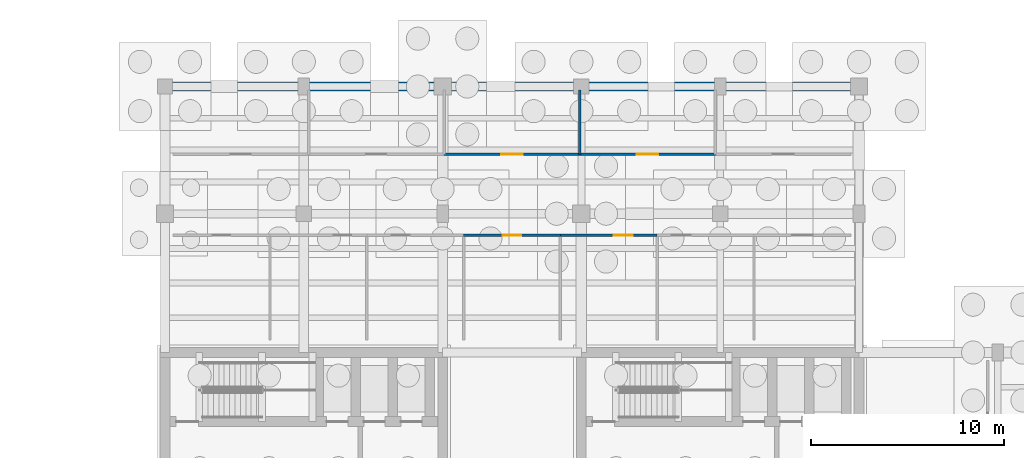
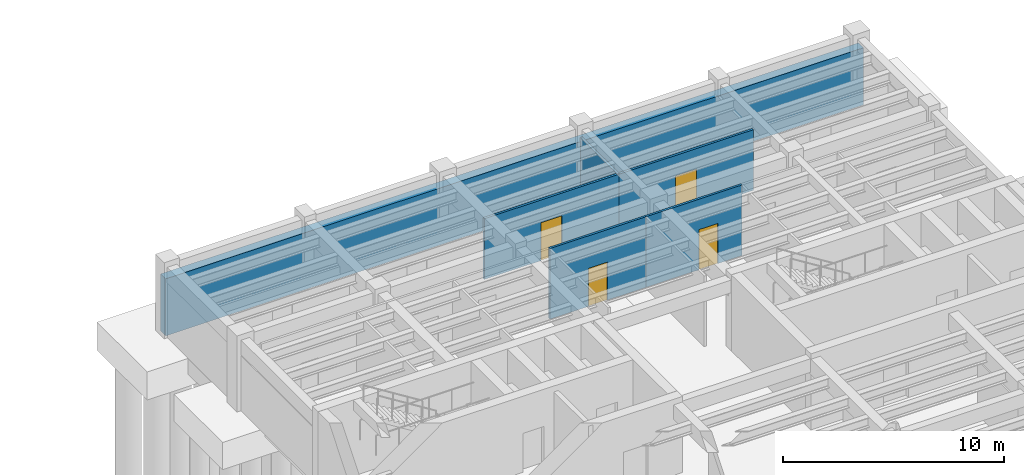
# One storey, part 14 of 22: 6 walls, 4 doors, 4 openings.
"""IFC4 building model written with IfcOpenShell, lengths in metres."""

from ifc_helpers import new_model, si_unit, direction, frame, frame_2d, origin, place, context, subcontext, project, spatial, rectangle, extrude, material, layer, layer_set, type_object, element, fill, save


model = new_model("IFC4")

# Units and contexts
model_context = context("Model", 3, precision=1e-05, world=origin(), true_north=direction((0.0, 1.0)))
body_context = subcontext(model_context, "Body", "Model", "MODEL_VIEW")
ifc_project = project(units=[si_unit("LENGTHUNIT", "METRE"), si_unit("AREAUNIT", "SQUARE_METRE"), si_unit("VOLUMEUNIT", "CUBIC_METRE"), si_unit("PLANEANGLEUNIT", "RADIAN"), si_unit("MASSUNIT", "GRAM", prefix="KILO")], contexts=[model_context])

# Site, building, storey
site_placement = place(None, origin())
site = spatial("IfcSite", under=ifc_project, at=site_placement, CompositionType="ELEMENT")
building_placement = place(site_placement, origin())
building = spatial("IfcBuilding", under=site, at=building_placement, Name="Mithqara Police Headquarters", CompositionType="ELEMENT")
storey_placement = place(building_placement, frame((0.0, 0.0, -8.39990234375)))
storey = spatial("IfcBuildingStorey", under=building, at=storey_placement, Name="B2", CompositionType="ELEMENT", Elevation=-8.39990234375)

# Wall, opening, door
ifc_material_1 = material(Name="Gypsum acoustic stud partition", Category="gypsum")
ifc_layer_1 = layer(ifc_material_1, 0.1201171875, Name="Gypsum acoustic stud partition")
ifc_layer_set_1 = layer_set([ifc_layer_1], Name="Gypsum acoustic stud partition")
wall_type_1 = type_object("IfcWallType", Name="PART WALL 120", PredefinedType="PARTITIONING", material=ifc_layer_set_1)
wall_1_placement = place(storey_placement, frame((124.089111328125, 106.280029296875, 0.0), z_axis=(0.0, 0.0, 1.0), x_axis=(1.0, 0.0, 0.0)))
wall_1 = element("IfcWall", 1, at=wall_1_placement, inside=storey, type_object=wall_type_1, Name="B2 Corridor Wall Standby UPS Battery Room", PredefinedType="PARTITIONING", context=body_context, shape_type="SweptSolid", body=[
    extrude(rectangle(XDim=5.02197265625, YDim=0.1201171875, at=frame_2d((2.510986328125, 0.0))), origin(), (0.0, 0.0, 1.0), 3.89990234375),
])
opening_1_placement = place(wall_1_placement, frame((2.02099609375, 0.0, 0.0)))
opening_1 = element("IfcOpeningElement", 2, at=opening_1_placement, cuts=wall_1, Name="Opening D-04", PredefinedType="OPENING", context=body_context, shape_type="SweptSolid", body=[
    extrude(rectangle(XDim=0.97998046875, YDim=2.10009765625, at=frame_2d((0.489990234375, 1.050048828125))), frame((0.0, 0.070068359375, 0.0), z_axis=(0.0, -1.0, 0.0), x_axis=(1.0, 0.0, 0.0)), (0.0, 0.0, 1.0), 0.14013671875),
])
ifc_material_2 = material(Name="Acoustic solid-core timber leaf", Category="wood")
door_type_1 = type_object("IfcDoorType", Name="INT DOOR 980X2100", OperationType="NOTDEFINED", PredefinedType="DOOR", material=ifc_material_2)
door_1_placement = place(opening_1_placement, frame((0.97998046875, 0.0, 0.0), z_axis=(0.0, 0.0, 1.0), x_axis=(-1.0, 0.0, 0.0)))
door_1 = element("IfcDoor", 3, at=door_1_placement, inside=storey, type_object=door_type_1, Name="Standby UPS Battery Room Entry Door", OperationType="SINGLE_SWING_LEFT", OverallHeight=2.10009765625, OverallWidth=0.97998046875, PredefinedType="DOOR", context=body_context, shape_type="SweptSolid", body=[
    extrude(rectangle(XDim=0.97998046875, YDim=2.10009765625, at=frame_2d((0.489990234375, 1.050048828125))), frame((0.0, 0.02490234375, 0.0), z_axis=(0.0, -1.0, 0.0), x_axis=(1.0, 0.0, 0.0)), (0.0, 0.0, 1.0), 0.050048828125),
])
fill(opening_1, door_1)

wall_2_placement = place(storey_placement, frame((129.111083984375, 106.280029296875, 0.0), z_axis=(0.0, 0.0, 1.0), x_axis=(1.0, 0.0, 0.0)))
wall_2 = element("IfcWall", 4, at=wall_2_placement, inside=storey, type_object=wall_type_1, Name="B2 Corridor Wall Chiller Plant Room", PredefinedType="PARTITIONING", context=body_context, shape_type="SweptSolid", body=[
    extrude(rectangle(XDim=5.02294921875, YDim=0.1201171875, at=frame_2d((2.511474609375, 0.0))), origin(), (0.0, 0.0, 1.0), 3.89990234375),
])
opening_2_placement = place(wall_2_placement, frame((2.77490234375, 0.0, 0.0)))
opening_2 = element("IfcOpeningElement", 5, at=opening_2_placement, cuts=wall_2, Name="Opening D-05", PredefinedType="OPENING", context=body_context, shape_type="SweptSolid", body=[
    extrude(rectangle(XDim=0.97998046875, YDim=2.219970703125, at=frame_2d((0.489990234375, 1.10986328125))), frame((0.0, 0.070068359375, 0.0), z_axis=(0.0, -1.0, 0.0), x_axis=(1.0, 0.0, 0.0)), (0.0, 0.0, 1.0), 0.14013671875),
])
door_type_2 = type_object("IfcDoorType", Name="INT DOOR 980X2220", OperationType="NOTDEFINED", PredefinedType="DOOR", material=ifc_material_2)
door_2_placement = place(opening_2_placement, frame((0.97998046875, 0.0, 0.0), z_axis=(0.0, 0.0, 1.0), x_axis=(-1.0, 0.0, 0.0)))
door_2 = element("IfcDoor", 6, at=door_2_placement, inside=storey, type_object=door_type_2, Name="Chiller Plant Room Entry Door", OperationType="SINGLE_SWING_RIGHT", OverallHeight=2.219970703125, OverallWidth=0.97998046875, PredefinedType="DOOR", context=body_context, shape_type="SweptSolid", body=[
    extrude(rectangle(XDim=0.97998046875, YDim=2.219970703125, at=frame_2d((0.489990234375, 1.10986328125))), frame((0.0, 0.02490234375, 0.0), z_axis=(0.0, -1.0, 0.0), x_axis=(1.0, 0.0, 0.0)), (0.0, 0.0, 1.0), 0.050048828125),
])
fill(opening_2, door_2)

wall_3_placement = place(storey_placement, frame((123.083984375, 110.47998046875, 0.0), z_axis=(0.0, 0.0, 1.0), x_axis=(1.0, 0.0, 0.0)))
wall_3 = element("IfcWall", 7, at=wall_3_placement, inside=storey, type_object=wall_type_1, Name="B2 Corridor Wall Cooling Pump Hall", PredefinedType="PARTITIONING", context=body_context, shape_type="SweptSolid", body=[
    extrude(rectangle(XDim=7.031982421875, YDim=0.1201171875, at=frame_2d((3.51611328125, 0.0))), origin(), (0.0, 0.0, 1.0), 3.349853515625),
])
opening_3_placement = place(wall_3_placement, frame((2.966064453125, 0.0, 0.0)))
opening_3 = element("IfcOpeningElement", 8, at=opening_3_placement, cuts=wall_3, Name="Opening D-10", PredefinedType="OPENING", context=body_context, shape_type="SweptSolid", body=[
    extrude(rectangle(XDim=1.10009765625, YDim=2.10009765625, at=frame_2d((0.550048828125, 1.050048828125))), frame((0.0, 0.070068359375, 0.0), z_axis=(0.0, -1.0, 0.0), x_axis=(1.0, 0.0, 0.0)), (0.0, 0.0, 1.0), 0.14013671875),
])
door_type_3 = type_object("IfcDoorType", Name="INT DOOR 1100X2100", OperationType="NOTDEFINED", PredefinedType="DOOR", material=ifc_material_2)
door_3_placement = place(opening_3_placement, origin())
door_3 = element("IfcDoor", 9, at=door_3_placement, inside=storey, type_object=door_type_3, Name="Cooling Pump Hall Entry Door", OperationType="SINGLE_SWING_LEFT", OverallHeight=2.10009765625, OverallWidth=1.10009765625, PredefinedType="DOOR", context=body_context, shape_type="SweptSolid", body=[
    extrude(rectangle(XDim=1.10009765625, YDim=2.10009765625, at=frame_2d((0.550048828125, 1.050048828125))), frame((0.0, 0.02490234375, 0.0), z_axis=(0.0, -1.0, 0.0), x_axis=(1.0, 0.0, 0.0)), (0.0, 0.0, 1.0), 0.050048828125),
])
fill(opening_3, door_3)

# Wall
wall_4_placement = place(storey_placement, frame((130.115966796875, 110.47998046875, 0.0), z_axis=(0.0, 0.0, 1.0), x_axis=(0.0, 1.0, 0.0)))
element("IfcWall", 10, at=wall_4_placement, inside=storey, type_object=wall_type_1, Name="B2 Room Partition Cooling Pump Hall", PredefinedType="PARTITIONING", context=body_context, shape_type="SweptSolid", body=[
    extrude(rectangle(XDim=3.340087890625, YDim=0.1201171875, at=frame_2d((1.669921875, 0.0))), origin(), (0.0, 0.0, 1.0), 3.349853515625),
])

# Wall, opening, door
wall_5_placement = place(storey_placement, frame((130.115966796875, 110.47998046875, 0.0), z_axis=(0.0, 0.0, 1.0), x_axis=(1.0, 0.0, 0.0)))
wall_5 = element("IfcWall", 11, at=wall_5_placement, inside=storey, type_object=wall_type_1, Name="B2 Corridor Wall Main LV Switchgear Room", PredefinedType="PARTITIONING", context=body_context, shape_type="SweptSolid", body=[
    extrude(rectangle(XDim=7.031982421875, YDim=0.1201171875, at=frame_2d((3.51611328125, 0.0))), origin(), (0.0, 0.0, 1.0), 3.349853515625),
])
opening_4_placement = place(wall_5_placement, frame((2.966064453125, 0.0, 0.0)))
opening_4 = element("IfcOpeningElement", 12, at=opening_4_placement, cuts=wall_5, Name="Opening D-11", PredefinedType="OPENING", context=body_context, shape_type="SweptSolid", body=[
    extrude(rectangle(XDim=1.10009765625, YDim=2.219970703125, at=frame_2d((0.550048828125, 1.10986328125))), frame((0.0, 0.070068359375, 0.0), z_axis=(0.0, -1.0, 0.0), x_axis=(1.0, 0.0, 0.0)), (0.0, 0.0, 1.0), 0.14013671875),
])
door_type_4 = type_object("IfcDoorType", Name="INT DOOR 1100X2220", OperationType="NOTDEFINED", PredefinedType="DOOR", material=ifc_material_2)
door_4_placement = place(opening_4_placement, origin())
door_4 = element("IfcDoor", 13, at=door_4_placement, inside=storey, type_object=door_type_4, Name="Main LV Switchgear Room Entry Door", OperationType="SINGLE_SWING_RIGHT", OverallHeight=2.219970703125, OverallWidth=1.10009765625, PredefinedType="DOOR", context=body_context, shape_type="SweptSolid", body=[
    extrude(rectangle(XDim=1.10009765625, YDim=2.219970703125, at=frame_2d((0.550048828125, 1.10986328125))), frame((0.0, 0.02490234375, 0.0), z_axis=(0.0, -1.0, 0.0), x_axis=(1.0, 0.0, 0.0)), (0.0, 0.0, 1.0), 0.050048828125),
])
fill(opening_4, door_4)

# Wall
ifc_material_3 = material(Name="Concrete C40/50", Category="concrete")
ifc_layer_2 = layer(ifc_material_3, 0.4599609375, Name="Concrete C40/50")
ifc_layer_set_2 = layer_set([ifc_layer_2], Name="Concrete C40/50")
wall_type_2 = type_object("IfcWallType", Name="RETAINING WALL 460", PredefinedType="USERDEFINED", material=ifc_layer_set_2)
wall_6_placement = place(storey_placement, frame((108.3701171875, 114.0, 0.0), z_axis=(0.0, 0.0, 1.0), x_axis=(1.0, 0.0, 0.0)))
element("IfcWall", 14, at=wall_6_placement, inside=storey, type_object=wall_type_2, Name="B2 Perimeter Retaining Wall 7", ObjectType="RETAININGWALL", PredefinedType="USERDEFINED", context=body_context, shape_type="SweptSolid", body=[
    extrude(rectangle(XDim=36.4599609375, YDim=0.4599609375, at=frame_2d((18.22998046875, 0.0))), origin(), (0.0, 0.0, 1.0), 3.14990234375),
])

save(model, "model.ifc")
